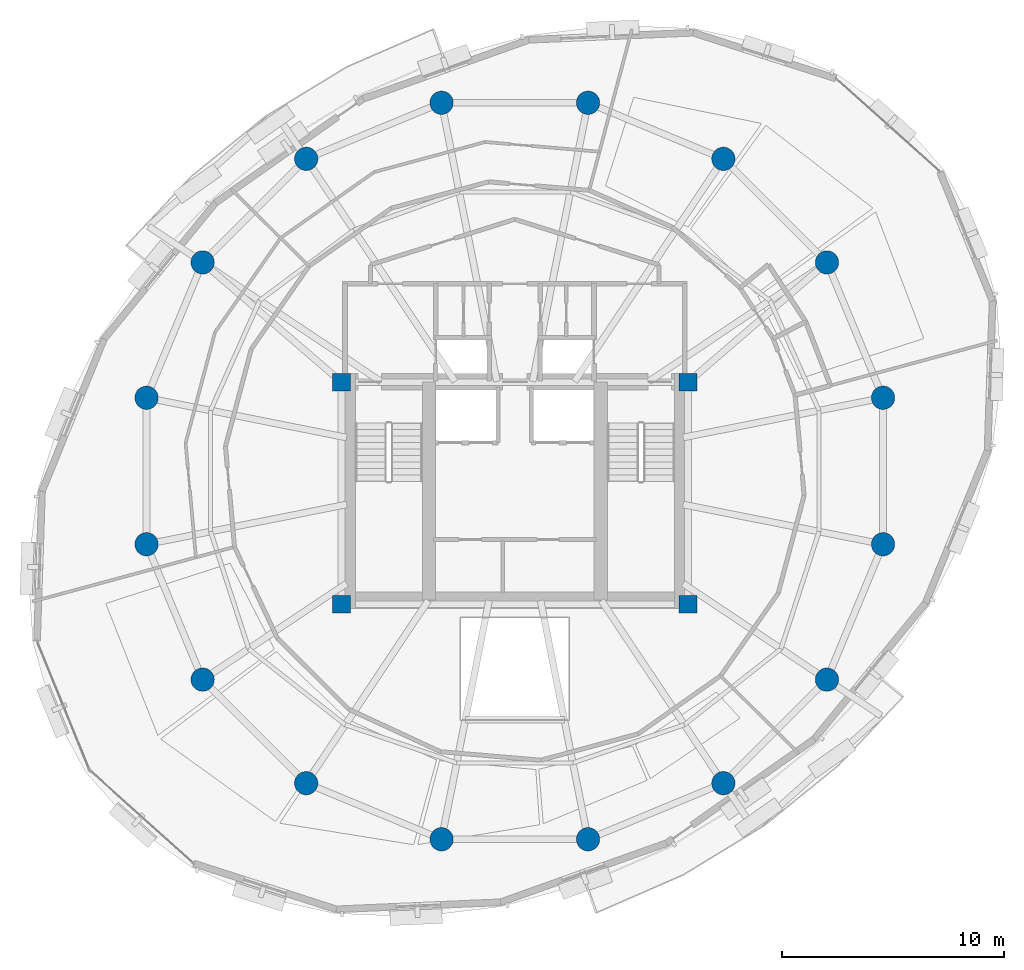
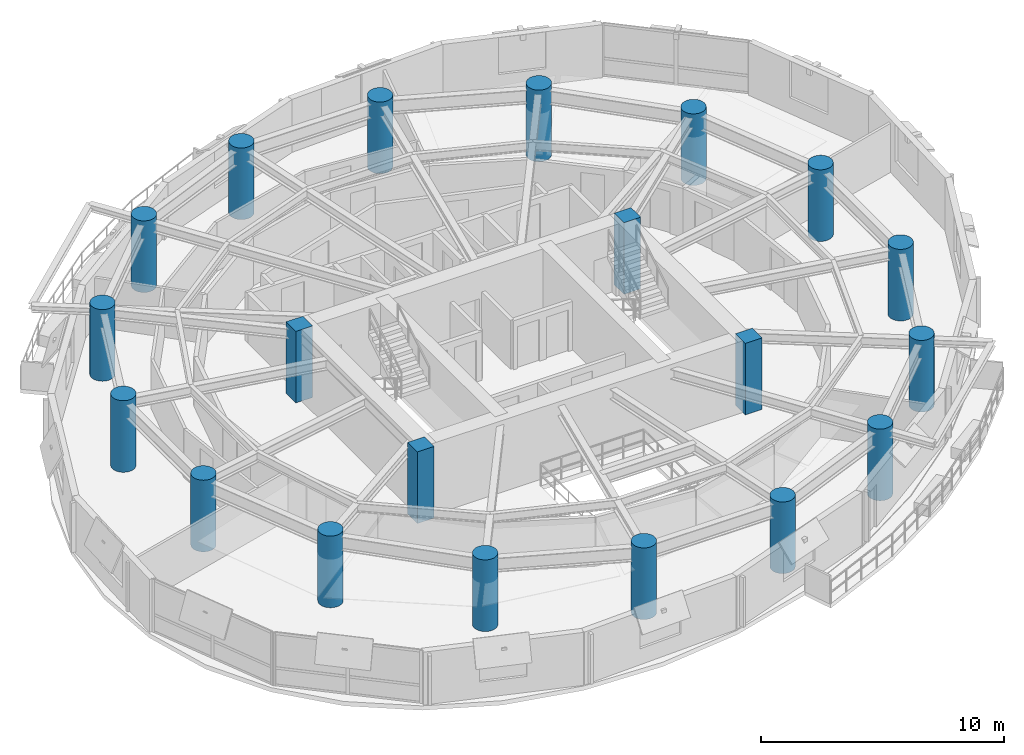
# One storey, part 1 of 11: 20 columns.
"""IFC4 building model written with IfcOpenShell, lengths in metres."""

from ifc_helpers import new_model, si_unit, direction, frame, origin, origin_2d, place, context, subcontext, project, spatial, rectangle, circle, extrude, material, material_profile, profile_set, type_object, element, save


model = new_model("IFC4")

# Units and contexts
model_context = context("Model", 3, precision=1e-05, world=origin(), true_north=direction((0.0, 1.0)))
body_context = subcontext(model_context, "Body", "Model", "MODEL_VIEW")
ifc_project = project(units=[si_unit("LENGTHUNIT", "METRE"), si_unit("AREAUNIT", "SQUARE_METRE"), si_unit("VOLUMEUNIT", "CUBIC_METRE"), si_unit("PLANEANGLEUNIT", "RADIAN"), si_unit("MASSUNIT", "GRAM", prefix="KILO"), si_unit("THERMODYNAMICTEMPERATUREUNIT", "KELVIN"), si_unit("POWERUNIT", "WATT")], contexts=[model_context])

# Site, building, storey
site_placement = place(None, origin())
site = spatial("IfcSite", under=ifc_project, at=site_placement, CompositionType="ELEMENT")
building_placement = place(site_placement, origin())
building = spatial("IfcBuilding", under=site, at=building_placement, Name="Ocrelia Relay Tower", CompositionType="ELEMENT")
storey_placement = place(building_placement, frame((0.0, 0.0, 180.800048828125)))
storey = spatial("IfcBuildingStorey", under=building, at=storey_placement, Name="L43", CompositionType="ELEMENT", Elevation=180.800048828125)

# Columns
ifc_material = material(Name="Concrete C60/75", Category="concrete")
ifc_material_profile_1 = material_profile(ifc_material, circle(Radius=0.52490234375, at=origin_2d()), Name="RC-CIR-1050")
ifc_profile_set_1 = profile_set([ifc_material_profile_1], Name="Concrete C60/75")
column_type_1 = type_object("IfcColumnType", Name="COL-CT-1050", PredefinedType="COLUMN", material=ifc_profile_set_1)
for number, where, z_axis, x_axis, name in (
    (1, (50.5751953125, 29.297119140625, 0.0), (0.0, 0.0, 1.0), (1.0, 0.0, 0.0), "L43 Perimeter Ring Column C01"),
    (2, (48.0517578125, 35.38916015625, 0.0), (0.0, 0.0, 1.0), (1.0, 0.0, 0.0), "L43 Perimeter Ring Column C02"),
    (3, (43.38916015625, 40.0517578125, 0.0), (0.0, 0.0, 1.0), (1.0, 0.0, 0.0), "L43 Perimeter Ring Column C03"),
    (4, (37.297119140625, 42.5751953125, 0.0), (0.0, 0.0, 1.0), (1.0, 0.0, 0.0), "L43 Perimeter Ring Column C04"),
    (5, (30.702880859375, 42.5751953125, 0.0), (0.0, 0.0, 1.0), (1.0, 0.0, 0.0), "L43 Perimeter Ring Column C05"),
    (6, (24.61083984375, 40.0517578125, 0.0), (0.0, 0.0, 1.0), (1.0, 0.0, 0.0), "L43 Perimeter Ring Column C06"),
    (7, (19.9482421875, 35.38916015625, 0.0), (0.0, 0.0, 1.0), (1.0, 0.0, 0.0), "L43 Perimeter Ring Column C07"),
    (8, (17.4248046875, 29.297119140625, 0.0), (0.0, 0.0, 1.0), (1.0, 0.0, 0.0), "L43 Perimeter Ring Column C08"),
    (9, (17.4248046875, 22.702880859375, 0.0), (0.0, 0.0, 1.0), (1.0, 0.0, 0.0), "L43 Perimeter Ring Column C09"),
    (10, (19.9482421875, 16.61083984375, 0.0), (0.0, 0.0, 1.0), (1.0, 0.0, 0.0), "L43 Perimeter Ring Column C10"),
    (11, (24.61083984375, 11.9482421875, 0.0), (0.0, 0.0, 1.0), (1.0, 0.0, 0.0), "L43 Perimeter Ring Column C11"),
    (12, (30.702880859375, 9.4248046875, 0.0), (0.0, 0.0, 1.0), (1.0, 0.0, 0.0), "L43 Perimeter Ring Column C12"),
    (13, (37.297119140625, 9.4248046875, 0.0), (0.0, 0.0, 1.0), (1.0, 0.0, 0.0), "L43 Perimeter Ring Column C13"),
    (14, (43.38916015625, 11.9482421875, 0.0), (0.0, 0.0, 1.0), (1.0, 0.0, 0.0), "L43 Perimeter Ring Column C14"),
    (15, (48.0517578125, 16.61083984375, 0.0), (0.0, 0.0, 1.0), (1.0, 0.0, 0.0), "L43 Perimeter Ring Column C15"),
    (16, (50.5751953125, 22.702880859375, 0.0), (0.0, 0.0, 1.0), (1.0, 0.0, 0.0), "L43 Perimeter Ring Column C16"),
):
    element("IfcColumn", number, at=place(storey_placement, frame(where, z_axis=z_axis, x_axis=x_axis)), inside=storey, type_object=column_type_1, Name=name, PredefinedType="COLUMN", context=body_context, shape_type="SweptSolid", body=[
        extrude(circle(Radius=0.52490234375, at=origin_2d()), origin(), (0.0, 0.0, 1.0), 3.599853515625),
    ])
ifc_material_profile_2 = material_profile(ifc_material, rectangle(XDim=0.800048828125, YDim=0.800048828125, at=origin_2d()), Name="RC-COL-800x800")
ifc_profile_set_2 = profile_set([ifc_material_profile_2], Name="Concrete C60/75")
column_type_2 = type_object("IfcColumnType", Name="COL-PILASTER-800", PredefinedType="PILASTER", material=ifc_profile_set_2)
for number, where, z_axis, x_axis, name in (
    (17, (26.199951171875, 20.0, 0.0), (0.0, 0.0, 1.0), (1.0, 0.0, 0.0), "L43 Core Corner Pilaster SW"),
    (18, (41.800048828125, 20.0, 0.0), (0.0, 0.0, 1.0), (1.0, 0.0, 0.0), "L43 Core Corner Pilaster SE"),
    (19, (26.199951171875, 30.0, 0.0), (0.0, 0.0, 1.0), (1.0, 0.0, 0.0), "L43 Core Corner Pilaster NW"),
    (20, (41.800048828125, 30.0, 0.0), (0.0, 0.0, 1.0), (1.0, 0.0, 0.0), "L43 Core Corner Pilaster NE"),
):
    element("IfcColumn", number, at=place(storey_placement, frame(where, z_axis=z_axis, x_axis=x_axis)), inside=storey, type_object=column_type_2, Name=name, PredefinedType="PILASTER", context=body_context, shape_type="SweptSolid", body=[
        extrude(rectangle(XDim=0.800048828125, YDim=0.800048828125, at=origin_2d()), origin(), (0.0, 0.0, 1.0), 3.599853515625),
    ])

save(model, "model.ifc")
